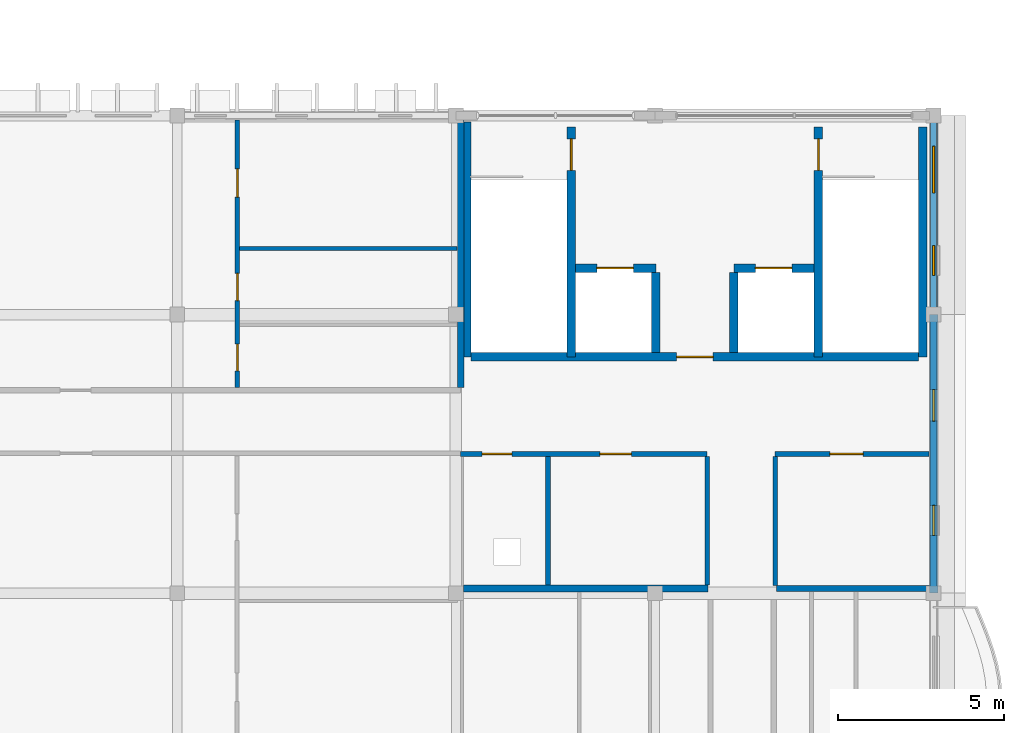
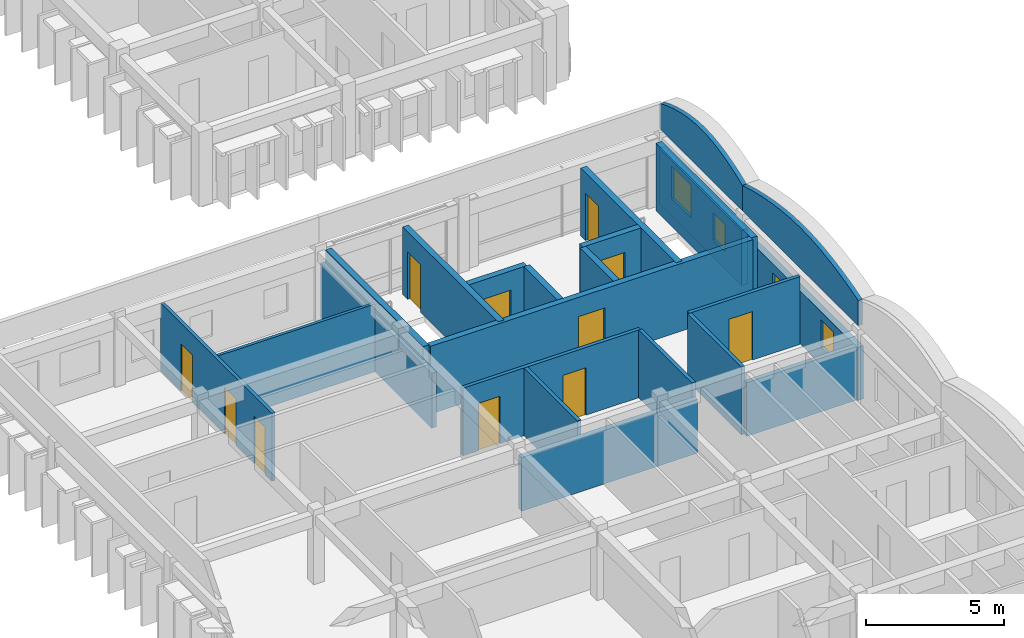
# One storey, part 29 of 59: 23 walls, 11 doors, 4 windows, 15 openings.
"""IFC4 building model written with IfcOpenShell, lengths in metres."""

from ifc_helpers import new_model, si_unit, direction, frame, frame_2d, origin, place, context, subcontext, project, spatial, polyline, rectangle, outline, extrude, material, layer, layer_set, type_object, element, fill, save


model = new_model("IFC4")

# Units and contexts
model_context = context("Model", 3, precision=1e-05, world=origin(), true_north=direction((0.0, 1.0)))
body_context = subcontext(model_context, "Body", "Model", "MODEL_VIEW")
ifc_project = project(units=[si_unit("LENGTHUNIT", "METRE"), si_unit("AREAUNIT", "SQUARE_METRE"), si_unit("VOLUMEUNIT", "CUBIC_METRE"), si_unit("PLANEANGLEUNIT", "RADIAN"), si_unit("MASSUNIT", "GRAM", prefix="KILO"), si_unit("THERMODYNAMICTEMPERATUREUNIT", "KELVIN")], contexts=[model_context])

# Site, building, storey
site_placement = place(None, origin())
site = spatial("IfcSite", under=ifc_project, at=site_placement, CompositionType="ELEMENT")
building_placement = place(site_placement, origin())
building = spatial("IfcBuilding", under=site, at=building_placement, Name="Thalorik Housing Commons", CompositionType="ELEMENT")
storey_placement = place(building_placement, frame((0.0, 0.0, 27.89990234375)))
storey = spatial("IfcBuildingStorey", under=building, at=storey_placement, Name="L08", CompositionType="ELEMENT", Elevation=27.89990234375)

# Wall, opening, door
ifc_material_1 = material(Name="Concrete C40/50", Category="concrete")
ifc_layer_1 = layer(ifc_material_1, 0.25, Name="Concrete C40/50", Category="concrete")
ifc_layer_set_1 = layer_set([ifc_layer_1], Name="Concrete C40/50")
wall_type_1 = type_object("IfcWallType", Name="ARC-WAL-CORE-250", PredefinedType="SHEAR", material=ifc_layer_set_1)
wall_1_placement = place(storey_placement, frame((155.875, 71.64990234375, 0.0), z_axis=(0.0, 0.0, 1.0), x_axis=(0.0, -1.0, 0.0)))
wall_1 = element("IfcWall", 1, at=wall_1_placement, inside=storey, type_object=wall_type_1, Name="L08 Core D Stair 1 Shear Wall", PredefinedType="SHEAR", context=body_context, shape_type="SweptSolid", body=[
    extrude(rectangle(XDim=6.9248046875, YDim=0.25, at=frame_2d((3.46240234375, 0.0))), origin(), (0.0, 0.0, 1.0), 3.0),
])
opening_1_placement = place(wall_1_placement, frame((0.35009765625, 0.0, 0.0)))
opening_1 = element("IfcOpeningElement", 2, at=opening_1_placement, cuts=wall_1, Name="Opening ID-0417", PredefinedType="OPENING", context=body_context, shape_type="SweptSolid", body=[
    extrude(rectangle(XDim=0.949951171875, YDim=2.10009765625, at=frame_2d((0.47509765625, 1.050048828125))), frame((0.0, 0.135009765625, 0.0), z_axis=(0.0, -1.0, 0.0), x_axis=(1.0, 0.0, 0.0)), (0.0, 0.0, 1.0), 0.27001953125),
])
ifc_material_2 = material(Name="Steel S355", Category="steel")
door_type_1 = type_object("IfcDoorType", Name="ARC-DR-FD60-950", OperationType="NOTDEFINED", PredefinedType="DOOR", material=ifc_material_2)
door_1_placement = place(opening_1_placement, origin())
door_1 = element("IfcDoor", 3, at=door_1_placement, inside=storey, type_object=door_type_1, Name="L08 Stair ST-D1 Fire Door", OperationType="SINGLE_SWING_RIGHT", OverallHeight=2.10009765625, OverallWidth=0.949951171875, PredefinedType="DOOR", context=body_context, shape_type="SweptSolid", body=[
    extrude(rectangle(XDim=0.949951171875, YDim=2.10009765625, at=frame_2d((0.47509765625, 1.050048828125))), frame((0.0, 0.02490234375, 0.0), z_axis=(0.0, -1.0, 0.0), x_axis=(1.0, 0.0, 0.0)), (0.0, 0.0, 1.0), 0.050048828125),
])
fill(opening_1, door_1)

# Walls
wall_2_placement = place(storey_placement, frame((152.72509765625, 71.800048828125, 0.0), z_axis=(0.0, 0.0, 1.0), x_axis=(0.0, -1.0, 0.0)))
element("IfcWall", 4, at=wall_2_placement, inside=storey, type_object=wall_type_1, Name="L08 Core D Stair 1 Outer Shear Wall", PredefinedType="SHEAR", context=body_context, shape_type="SweptSolid", body=[
    extrude(rectangle(XDim=7.074951171875, YDim=0.25, at=frame_2d((3.53759765625, 0.0))), origin(), (0.0, 0.0, 1.0), 3.0),
])
wall_3_placement = place(storey_placement, frame((166.47509765625, 71.64990234375, 0.0), z_axis=(0.0, 0.0, 1.0), x_axis=(0.0, -1.0, 0.0)))
element("IfcWall", 5, at=wall_3_placement, inside=storey, type_object=wall_type_1, Name="L08 Core D Stair 2 Outer Shear Wall", PredefinedType="SHEAR", context=body_context, shape_type="SweptSolid", body=[
    extrude(rectangle(XDim=6.9248046875, YDim=0.25, at=frame_2d((3.46240234375, 0.0))), origin(), (0.0, 0.0, 1.0), 3.0),
])

# Wall, opening, door
wall_4_placement = place(storey_placement, frame((163.324951171875, 71.64990234375, 0.0), z_axis=(0.0, 0.0, 1.0), x_axis=(0.0, -1.0, 0.0)))
wall_4 = element("IfcWall", 6, at=wall_4_placement, inside=storey, type_object=wall_type_1, Name="L08 Core D Stair 2 Shear Wall", PredefinedType="SHEAR", context=body_context, shape_type="SweptSolid", body=[
    extrude(rectangle(XDim=6.9248046875, YDim=0.25, at=frame_2d((3.46240234375, 0.0))), origin(), (0.0, 0.0, 1.0), 3.0),
])
opening_2_placement = place(wall_4_placement, frame((0.35009765625, 0.0, 0.0)))
opening_2 = element("IfcOpeningElement", 7, at=opening_2_placement, cuts=wall_4, Name="Opening ID-0418", PredefinedType="OPENING", context=body_context, shape_type="SweptSolid", body=[
    extrude(rectangle(XDim=0.949951171875, YDim=2.10009765625, at=frame_2d((0.47509765625, 1.050048828125))), frame((0.0, 0.135009765625, 0.0), z_axis=(0.0, -1.0, 0.0), x_axis=(1.0, 0.0, 0.0)), (0.0, 0.0, 1.0), 0.27001953125),
])
door_2_placement = place(opening_2_placement, origin())
door_2 = element("IfcDoor", 8, at=door_2_placement, inside=storey, type_object=door_type_1, Name="L08 Stair ST-D2 Fire Door", OperationType="SINGLE_SWING_LEFT", OverallHeight=2.10009765625, OverallWidth=0.949951171875, PredefinedType="DOOR", context=body_context, shape_type="SweptSolid", body=[
    extrude(rectangle(XDim=0.949951171875, YDim=2.10009765625, at=frame_2d((0.47509765625, 1.050048828125))), frame((0.0, 0.02490234375, 0.0), z_axis=(0.0, -1.0, 0.0), x_axis=(1.0, 0.0, 0.0)), (0.0, 0.0, 1.0), 0.050048828125),
])
fill(opening_2, door_2)

wall_5_placement = place(storey_placement, frame((156.0, 67.39990234375, 0.0), z_axis=(0.0, 0.0, 1.0), x_axis=(1.0, 0.0, 0.0)))
wall_5 = element("IfcWall", 9, at=wall_5_placement, inside=storey, type_object=wall_type_1, Name="L08 Lift LP-D1 Front Shaft Wall", PredefinedType="SHEAR", context=body_context, shape_type="SweptSolid", body=[
    extrude(rectangle(XDim=2.425048828125, YDim=0.25, at=frame_2d((1.21240234375, 0.0))), origin(), (0.0, 0.0, 1.0), 3.0),
])
opening_3_placement = place(wall_5_placement, frame((0.64990234375, 0.0, 0.0)))
opening_3 = element("IfcOpeningElement", 10, at=opening_3_placement, cuts=wall_5, Name="Opening LD-LP-D1-L08", PredefinedType="OPENING", context=body_context, shape_type="SweptSolid", body=[
    extrude(rectangle(XDim=1.10009765625, YDim=2.14990234375, at=frame_2d((0.550048828125, 1.074951171875))), frame((0.0, 0.135009765625, 0.0), z_axis=(0.0, -1.0, 0.0), x_axis=(1.0, 0.0, 0.0)), (0.0, 0.0, 1.0), 0.27001953125),
])
door_type_2 = type_object("IfcDoorType", Name="ARC-DR-LIFT-1100", OperationType="NOTDEFINED", PredefinedType="DOOR", material=ifc_material_2)
door_3_placement = place(opening_3_placement, origin())
door_3 = element("IfcDoor", 11, at=door_3_placement, inside=storey, type_object=door_type_2, Name="L08 Lift LP-D1 Landing Door", OperationType="SLIDING_TO_LEFT", OverallHeight=2.14990234375, OverallWidth=1.10009765625, PredefinedType="DOOR", context=body_context, shape_type="SweptSolid", body=[
    extrude(rectangle(XDim=1.10009765625, YDim=2.14990234375, at=frame_2d((0.550048828125, 1.074951171875))), frame((0.0, 0.02490234375, 0.0), z_axis=(0.0, -1.0, 0.0), x_axis=(1.0, 0.0, 0.0)), (0.0, 0.0, 1.0), 0.050048828125),
])
fill(opening_3, door_3)

wall_6_placement = place(storey_placement, frame((160.77490234375, 67.39990234375, 0.0), z_axis=(0.0, 0.0, 1.0), x_axis=(1.0, 0.0, 0.0)))
wall_6 = element("IfcWall", 12, at=wall_6_placement, inside=storey, type_object=wall_type_1, Name="L08 Lift LP-D2 Front Shaft Wall", PredefinedType="SHEAR", context=body_context, shape_type="SweptSolid", body=[
    extrude(rectangle(XDim=2.425048828125, YDim=0.25, at=frame_2d((1.21240234375, 0.0))), origin(), (0.0, 0.0, 1.0), 3.0),
])
opening_4_placement = place(wall_6_placement, frame((0.64990234375, 0.0, 0.0)))
opening_4 = element("IfcOpeningElement", 13, at=opening_4_placement, cuts=wall_6, Name="Opening LD-LP-D2-L08", PredefinedType="OPENING", context=body_context, shape_type="SweptSolid", body=[
    extrude(rectangle(XDim=1.10009765625, YDim=2.14990234375, at=frame_2d((0.550048828125, 1.074951171875))), frame((0.0, 0.135009765625, 0.0), z_axis=(0.0, -1.0, 0.0), x_axis=(1.0, 0.0, 0.0)), (0.0, 0.0, 1.0), 0.27001953125),
])
door_4_placement = place(opening_4_placement, origin())
door_4 = element("IfcDoor", 14, at=door_4_placement, inside=storey, type_object=door_type_2, Name="L08 Lift LP-D2 Landing Door", OperationType="SLIDING_TO_LEFT", OverallHeight=2.14990234375, OverallWidth=1.10009765625, PredefinedType="DOOR", context=body_context, shape_type="SweptSolid", body=[
    extrude(rectangle(XDim=1.10009765625, YDim=2.14990234375, at=frame_2d((0.550048828125, 1.074951171875))), frame((0.0, 0.02490234375, 0.0), z_axis=(0.0, -1.0, 0.0), x_axis=(1.0, 0.0, 0.0)), (0.0, 0.0, 1.0), 0.050048828125),
])
fill(opening_4, door_4)

# Walls
for number, where, z_axis, x_axis, name in (
    (15, (158.425048828125, 67.27490234375, 0.0), (0.0, 0.0, 1.0), (0.0, -1.0, 0.0), "L08 Lift 1 Cheek Wall"),
    (16, (160.77490234375, 67.27490234375, 0.0), (0.0, 0.0, 1.0), (0.0, -1.0, 0.0), "L08 Lift 2 Cheek Wall"),
):
    element("IfcWall", number, at=place(storey_placement, frame(where, z_axis=z_axis, x_axis=x_axis)), inside=storey, type_object=wall_type_1, Name=name, PredefinedType="SHEAR", context=body_context, shape_type="SweptSolid", body=[
        extrude(rectangle(XDim=2.4248046875, YDim=0.25, at=frame_2d((1.21240234375, 0.0))), origin(), (0.0, 0.0, 1.0), 3.0),
    ])

# Wall, opening, door
wall_7_placement = place(storey_placement, frame((152.85009765625, 64.72509765625, 0.0), z_axis=(0.0, 0.0, 1.0), x_axis=(1.0, 0.0, 0.0)))
wall_7 = element("IfcWall", 17, at=wall_7_placement, inside=storey, type_object=wall_type_1, Name="L08 Core D Spine Shear Wall", PredefinedType="SHEAR", context=body_context, shape_type="SweptSolid", body=[
    extrude(rectangle(XDim=13.5, YDim=0.25, at=frame_2d((6.75, 0.0))), origin(), (0.0, 0.0, 1.0), 3.0),
])
opening_5_placement = place(wall_7_placement, frame((6.199951171875, 0.0, 0.0)))
opening_5 = element("IfcOpeningElement", 18, at=opening_5_placement, cuts=wall_7, Name="Opening ID-0421", PredefinedType="OPENING", context=body_context, shape_type="SweptSolid", body=[
    extrude(rectangle(XDim=1.10009765625, YDim=2.14990234375, at=frame_2d((0.550048828125, 1.074951171875))), frame((0.0, 0.135009765625, 0.0), z_axis=(0.0, -1.0, 0.0), x_axis=(1.0, 0.0, 0.0)), (0.0, 0.0, 1.0), 0.27001953125),
])
door_type_3 = type_object("IfcDoorType", Name="ARC-DR-FD60-1100", OperationType="NOTDEFINED", PredefinedType="DOOR", material=ifc_material_2)
door_5_placement = place(opening_5_placement, origin())
door_5 = element("IfcDoor", 19, at=door_5_placement, inside=storey, type_object=door_type_3, Name="L08 Core D Lobby Fire Door", OperationType="SINGLE_SWING_RIGHT", OverallHeight=2.14990234375, OverallWidth=1.10009765625, PredefinedType="DOOR", context=body_context, shape_type="SweptSolid", body=[
    extrude(rectangle(XDim=1.10009765625, YDim=2.14990234375, at=frame_2d((0.550048828125, 1.074951171875))), frame((0.0, 0.02490234375, 0.0), z_axis=(0.0, -1.0, 0.0), x_axis=(1.0, 0.0, 0.0)), (0.0, 0.0, 1.0), 0.050048828125),
])
fill(opening_5, door_5)

# Wall, openings, windows
ifc_material_3 = material(Name="White precast concrete C40/50", Category="concrete")
ifc_layer_2 = layer(ifc_material_3, 0.2548828125, Name="White precast concrete C40/50", Category="concrete")
ifc_layer_set_2 = layer_set([ifc_layer_2], Name="White precast concrete C40/50")
wall_type_2 = type_object("IfcWallType", Name="ARC-WAL-EXT-255", PredefinedType="STANDARD", material=ifc_layer_set_2)
wall_8_placement = place(storey_placement, frame((166.800048828125, 57.60009765625, 0.0), z_axis=(0.0, 0.0, 1.0), x_axis=(0.0, 1.0, 0.0)))
wall_8 = element("IfcWall", 20, at=wall_8_placement, inside=storey, type_object=wall_type_2, Name="L08 Exterior Wall WAL-EXT-L08-D-1275", PredefinedType="STANDARD", context=body_context, shape_type="SweptSolid", body=[
    extrude(rectangle(XDim=8.39990234375, YDim=0.2548828125, at=frame_2d((4.199951171875, 0.0))), origin(), (0.0, 0.0, 1.0), 2.34521484375),
])
opening_6_placement = place(wall_8_placement, frame((1.7451171875, 0.0, 0.780029296875)))
opening_6 = element("IfcOpeningElement", 21, at=opening_6_placement, cuts=wall_8, Name="Opening W-01", PredefinedType="OPENING", context=body_context, shape_type="SweptSolid", body=[
    extrude(rectangle(XDim=0.89990234375, YDim=1.199951171875, at=frame_2d((0.449951171875, 0.60009765625))), frame((0.0, 0.137451171875, 0.0), z_axis=(0.0, -1.0, 0.0), x_axis=(1.0, 0.0, 0.0)), (0.0, 0.0, 1.0), 0.27490234375),
])
opening_7_placement = place(wall_8_placement, frame((5.1875, 0.0, 0.780029296875)))
opening_7 = element("IfcOpeningElement", 22, at=opening_7_placement, cuts=wall_8, Name="Opening W-43", PredefinedType="OPENING", context=body_context, shape_type="SweptSolid", body=[
    extrude(rectangle(XDim=0.949951171875, YDim=1.14990234375, at=frame_2d((0.47509765625, 0.574951171875))), frame((0.0, 0.137451171875, 0.0), z_axis=(0.0, -1.0, 0.0), x_axis=(1.0, 0.0, 0.0)), (0.0, 0.0, 1.0), 0.27490234375),
])
ifc_material_4 = material(Name="Anodised aluminium and solar-control low-E glass", Category="aluminium")
window_type_1 = type_object("IfcWindowType", Name="ARC-WIN-01", PartitioningType="SINGLE_PANEL", PredefinedType="WINDOW", material=ifc_material_4)
window_1_placement = place(opening_6_placement, origin())
window_1 = element("IfcWindow", 23, at=window_1_placement, inside=storey, type_object=window_type_1, Name="L08 Facade Window 2324", OverallHeight=1.199951171875, OverallWidth=0.89990234375, PartitioningType="SINGLE_PANEL", PredefinedType="WINDOW", context=body_context, shape_type="SweptSolid", body=[
    extrude(rectangle(XDim=0.89990234375, YDim=1.199951171875, at=frame_2d((0.449951171875, 0.60009765625))), frame((0.0, 0.030029296875, 0.0), z_axis=(0.0, -1.0, 0.0), x_axis=(1.0, 0.0, 0.0)), (0.0, 0.0, 1.0), 0.06005859375),
])
fill(opening_6, window_1)
window_type_2 = type_object("IfcWindowType", Name="ARC-WIN-43", PartitioningType="SINGLE_PANEL", PredefinedType="WINDOW", material=ifc_material_4)
window_2_placement = place(opening_7_placement, origin())
window_2 = element("IfcWindow", 24, at=window_2_placement, inside=storey, type_object=window_type_2, Name="L08 Facade Window 2325", OverallHeight=1.14990234375, OverallWidth=0.949951171875, PartitioningType="SINGLE_PANEL", PredefinedType="WINDOW", context=body_context, shape_type="SweptSolid", body=[
    extrude(rectangle(XDim=0.949951171875, YDim=1.14990234375, at=frame_2d((0.47509765625, 0.574951171875))), frame((0.0, 0.030029296875, 0.0), z_axis=(0.0, -1.0, 0.0), x_axis=(1.0, 0.0, 0.0)), (0.0, 0.0, 1.0), 0.06005859375),
])
fill(opening_7, window_2)

wall_9_placement = place(storey_placement, frame((166.800048828125, 66.0, 0.0), z_axis=(0.0, 0.0, 1.0), x_axis=(0.0, 1.0, 0.0)))
wall_9 = element("IfcWall", 25, at=wall_9_placement, inside=storey, type_object=wall_type_2, Name="L08 Exterior Wall WAL-EXT-L08-D-1276", PredefinedType="STANDARD", context=body_context, shape_type="SweptSolid", body=[
    extrude(rectangle(XDim=6.0, YDim=0.2548828125, at=frame_2d((3.0, 0.0))), origin(), (0.0, 0.0, 1.0), 2.445068359375),
])
opening_8_placement = place(wall_9_placement, frame((1.179931640625, 0.0, 0.780029296875)))
opening_8 = element("IfcOpeningElement", 26, at=opening_8_placement, cuts=wall_9, Name="Opening W-01", PredefinedType="OPENING", context=body_context, shape_type="SweptSolid", body=[
    extrude(rectangle(XDim=0.89990234375, YDim=1.199951171875, at=frame_2d((0.449951171875, 0.60009765625))), frame((0.0, 0.137451171875, 0.0), z_axis=(0.0, -1.0, 0.0), x_axis=(1.0, 0.0, 0.0)), (0.0, 0.0, 1.0), 0.27490234375),
])
opening_9_placement = place(wall_9_placement, frame((3.669921875, 0.0, 0.780029296875)))
opening_9 = element("IfcOpeningElement", 27, at=opening_9_placement, cuts=wall_9, Name="Opening W-08", PredefinedType="OPENING", context=body_context, shape_type="SweptSolid", body=[
    extrude(rectangle(XDim=1.39990234375, YDim=1.449951171875, at=frame_2d((0.699951171875, 0.72509765625))), frame((0.0, 0.137451171875, 0.0), z_axis=(0.0, -1.0, 0.0), x_axis=(1.0, 0.0, 0.0)), (0.0, 0.0, 1.0), 0.27490234375),
])
window_3_placement = place(opening_8_placement, origin())
window_3 = element("IfcWindow", 28, at=window_3_placement, inside=storey, type_object=window_type_1, Name="L08 Facade Window 2326", OverallHeight=1.199951171875, OverallWidth=0.89990234375, PartitioningType="SINGLE_PANEL", PredefinedType="WINDOW", context=body_context, shape_type="SweptSolid", body=[
    extrude(rectangle(XDim=0.89990234375, YDim=1.199951171875, at=frame_2d((0.449951171875, 0.60009765625))), frame((0.0, 0.030029296875, 0.0), z_axis=(0.0, -1.0, 0.0), x_axis=(1.0, 0.0, 0.0)), (0.0, 0.0, 1.0), 0.06005859375),
])
fill(opening_8, window_3)
window_type_3 = type_object("IfcWindowType", Name="ARC-WIN-08", PartitioningType="SINGLE_PANEL", PredefinedType="WINDOW", material=ifc_material_4)
window_4_placement = place(opening_9_placement, origin())
window_4 = element("IfcWindow", 29, at=window_4_placement, inside=storey, type_object=window_type_3, Name="L08 Facade Window 2327", OverallHeight=1.449951171875, OverallWidth=1.39990234375, PartitioningType="SINGLE_PANEL", PredefinedType="WINDOW", context=body_context, shape_type="SweptSolid", body=[
    extrude(rectangle(XDim=1.39990234375, YDim=1.449951171875, at=frame_2d((0.699951171875, 0.72509765625))), frame((0.0, 0.030029296875, 0.0), z_axis=(0.0, -1.0, 0.0), x_axis=(1.0, 0.0, 0.0)), (0.0, 0.0, 1.0), 0.06005859375),
])
fill(opening_9, window_4)

# Walls
ifc_layer_3 = layer(ifc_material_3, 0.179931640625, Name="White precast concrete C40/50", Category="concrete")
ifc_layer_set_3 = layer_set([ifc_layer_3], Name="White precast concrete C40/50")
wall_type_3 = type_object("IfcWallType", Name="ARC-WAL-PAR-180", PredefinedType="PARAPET", material=ifc_layer_set_3)
wall_10_placement = place(storey_placement, frame((166.800048828125, 57.60009765625, 3.300048828125), z_axis=(0.0, 0.0, 1.0), x_axis=(0.0, 1.0, 0.0)))
element("IfcWall", 30, at=wall_10_placement, inside=storey, type_object=wall_type_3, Name="L08 Block D Scalloped Arched Roof Parapet 55", PredefinedType="PARAPET", context=body_context, shape_type="SweptSolid", body=[
    extrude(outline(polyline([(0.0, 0.0), (8.39990234375, 0.0), (8.39990234375, 1.1201171875), (7.699951171875, 1.321533203125), (7.0, 1.484375), (6.300048828125, 1.617919921875), (5.60009765625, 1.717529296875), (4.89990234375, 1.779052734375), (4.199951171875, 1.800048828125), (3.5, 1.779052734375), (2.800048828125, 1.717529296875), (2.10009765625, 1.617919921875), (1.39990234375, 1.484375), (0.699951171875, 1.321533203125), (0.0, 1.1201171875), (0.0, 0.0)])), frame((0.0, 0.08984375, 0.0), z_axis=(0.0, -1.0, 0.0), x_axis=(1.0, 0.0, 0.0)), (0.0, 0.0, 1.0), 0.179931640625),
])
wall_11_placement = place(storey_placement, frame((166.800048828125, 66.0, 3.300048828125), z_axis=(0.0, 0.0, 1.0), x_axis=(0.0, 1.0, 0.0)))
element("IfcWall", 31, at=wall_11_placement, inside=storey, type_object=wall_type_3, Name="L08 Block D Scalloped Arched Roof Parapet 56", PredefinedType="PARAPET", context=body_context, shape_type="SweptSolid", body=[
    extrude(outline(polyline([(0.0, 0.0), (6.0, 0.0), (6.0, 1.1201171875), (5.5, 1.321533203125), (5.0, 1.484375), (4.5, 1.617919921875), (4.0, 1.717529296875), (3.5, 1.779052734375), (3.0, 1.800048828125), (2.5, 1.779052734375), (2.0, 1.717529296875), (1.5, 1.617919921875), (1.0, 1.484375), (0.5, 1.321533203125), (0.0, 1.1201171875), (0.0, 0.0)])), frame((0.0, 0.08984375, 0.0), z_axis=(0.0, -1.0, 0.0), x_axis=(1.0, 0.0, 0.0)), (0.0, 0.0, 1.0), 0.179931640625),
])
ifc_material_5 = material(Name="Gypsum acoustic stud partition", Category="masonry")
ifc_layer_4 = layer(ifc_material_5, 0.125, Name="Gypsum acoustic stud partition", Category="masonry")
ifc_layer_set_4 = layer_set([ifc_layer_4], Name="Gypsum acoustic stud partition")
wall_type_4 = type_object("IfcWallType", Name="ARC-WAL-PART-125", PredefinedType="PARTITIONING", material=ifc_layer_set_4)
wall_12_placement = place(storey_placement, frame((145.88232421875, 67.994384765625, 0.0), z_axis=(0.0, 0.0, 1.0), x_axis=(1.0, 0.0, 0.0)))
element("IfcWall", 32, at=wall_12_placement, inside=storey, type_object=wall_type_4, Name="L08 Unit 1B Bedroom Partition", PredefinedType="PARTITIONING", context=body_context, shape_type="SweptSolid", body=[
    extrude(rectangle(XDim=6.5556640625, YDim=0.125, at=frame_2d((3.27783203125, 0.0))), origin(), (0.0, 0.0, 1.0), 3.0),
])

# Wall, openings, doors
ifc_material_6 = material(Name="Ceramic masonry partition wall", Category="masonry")
ifc_layer_5 = layer(ifc_material_6, 0.139892578125, Name="Ceramic masonry partition wall", Category="masonry")
ifc_layer_set_5 = layer_set([ifc_layer_5], Name="Ceramic masonry partition wall")
wall_type_5 = type_object("IfcWallType", Name="ARC-WAL-PART-140", PredefinedType="PARTITIONING", material=ifc_layer_set_5)
wall_13_placement = place(storey_placement, frame((145.810302734375, 63.804443359375, 0.0), z_axis=(0.0, 0.0, 1.0), x_axis=(0.0, 1.0, 0.0)))
wall_13 = element("IfcWall", 33, at=wall_13_placement, inside=storey, type_object=wall_type_5, Name="L08 Unit 1B Spine Partition", PredefinedType="PARTITIONING", context=body_context, shape_type="SweptSolid", body=[
    extrude(rectangle(XDim=8.066162109375, YDim=0.139892578125, at=frame_2d((4.033203125, 0.0))), origin(), (0.0, 0.0, 1.0), 3.0),
])
opening_10_placement = place(wall_13_placement, frame((0.501953125, 0.0, 0.0)))
opening_10 = element("IfcOpeningElement", 34, at=opening_10_placement, cuts=wall_13, Name="Opening ID-2167", PredefinedType="OPENING", context=body_context, shape_type="SweptSolid", body=[
    extrude(rectangle(XDim=0.800048828125, YDim=2.10009765625, at=frame_2d((0.39990234375, 1.050048828125))), frame((0.0, 0.080078125, 0.0), z_axis=(0.0, -1.0, 0.0), x_axis=(1.0, 0.0, 0.0)), (0.0, 0.0, 1.0), 0.159912109375),
])
opening_11_placement = place(wall_13_placement, frame((2.614013671875, 0.0, 0.0)))
opening_11 = element("IfcOpeningElement", 35, at=opening_11_placement, cuts=wall_13, Name="Opening ID-2168", PredefinedType="OPENING", context=body_context, shape_type="SweptSolid", body=[
    extrude(rectangle(XDim=0.820068359375, YDim=2.080078125, at=frame_2d((0.41015625, 1.0400390625))), frame((0.0, 0.080078125, 0.0), z_axis=(0.0, -1.0, 0.0), x_axis=(1.0, 0.0, 0.0)), (0.0, 0.0, 1.0), 0.159912109375),
])
opening_12_placement = place(wall_13_placement, frame((5.73779296875, 0.0, 0.0)))
opening_12 = element("IfcOpeningElement", 36, at=opening_12_placement, cuts=wall_13, Name="Opening ID-2169", PredefinedType="OPENING", context=body_context, shape_type="SweptSolid", body=[
    extrude(rectangle(XDim=0.85009765625, YDim=2.10009765625, at=frame_2d((0.425048828125, 1.050048828125))), frame((0.0, 0.080078125, 0.0), z_axis=(0.0, -1.0, 0.0), x_axis=(1.0, 0.0, 0.0)), (0.0, 0.0, 1.0), 0.159912109375),
])
ifc_material_7 = material(Name="Moisture-resistant timber", Category="wood")
door_type_4 = type_object("IfcDoorType", Name="ARC-DR-INT-800", OperationType="NOTDEFINED", PredefinedType="DOOR", material=ifc_material_7)
door_6_placement = place(opening_10_placement, origin())
door_6 = element("IfcDoor", 37, at=door_6_placement, inside=storey, type_object=door_type_4, Name="L08 Flat Bathroom Door", OperationType="SINGLE_SWING_RIGHT", OverallHeight=2.10009765625, OverallWidth=0.800048828125, PredefinedType="DOOR", context=body_context, shape_type="SweptSolid", body=[
    extrude(rectangle(XDim=0.800048828125, YDim=2.10009765625, at=frame_2d((0.39990234375, 1.050048828125))), frame((0.0, 0.02490234375, 0.0), z_axis=(0.0, -1.0, 0.0), x_axis=(1.0, 0.0, 0.0)), (0.0, 0.0, 1.0), 0.050048828125),
])
fill(opening_10, door_6)
ifc_material_8 = material(Name="Engineered oak timber", Category="wood")
door_type_5 = type_object("IfcDoorType", Name="ARC-DR-INT-820", OperationType="NOTDEFINED", PredefinedType="DOOR", material=ifc_material_8)
door_7_placement = place(opening_11_placement, origin())
door_7 = element("IfcDoor", 38, at=door_7_placement, inside=storey, type_object=door_type_5, Name="L08 Galley Kitchen Door", OperationType="SINGLE_SWING_LEFT", OverallHeight=2.080078125, OverallWidth=0.820068359375, PredefinedType="DOOR", context=body_context, shape_type="SweptSolid", body=[
    extrude(rectangle(XDim=0.820068359375, YDim=2.080078125, at=frame_2d((0.41015625, 1.0400390625))), frame((0.0, 0.02490234375, 0.0), z_axis=(0.0, -1.0, 0.0), x_axis=(1.0, 0.0, 0.0)), (0.0, 0.0, 1.0), 0.050048828125),
])
fill(opening_11, door_7)
door_type_6 = type_object("IfcDoorType", Name="ARC-DR-INT-850", OperationType="NOTDEFINED", PredefinedType="DOOR", material=ifc_material_8)
door_8_placement = place(opening_12_placement, origin())
door_8 = element("IfcDoor", 39, at=door_8_placement, inside=storey, type_object=door_type_6, Name="L08 Double Bedroom Door", OperationType="SINGLE_SWING_RIGHT", OverallHeight=2.10009765625, OverallWidth=0.85009765625, PredefinedType="DOOR", context=body_context, shape_type="SweptSolid", body=[
    extrude(rectangle(XDim=0.85009765625, YDim=2.10009765625, at=frame_2d((0.425048828125, 1.050048828125))), frame((0.0, 0.02490234375, 0.0), z_axis=(0.0, -1.0, 0.0), x_axis=(1.0, 0.0, 0.0)), (0.0, 0.0, 1.0), 0.050048828125),
])
fill(opening_12, door_8)

# Walls
ifc_layer_6 = layer(ifc_material_6, 0.14794921875, Name="Ceramic masonry partition wall", Category="masonry")
ifc_layer_set_6 = layer_set([ifc_layer_6], Name="Ceramic masonry partition wall")
wall_type_6 = type_object("IfcWallType", Name="ARC-WAL-PART-150", PredefinedType="PARTITIONING", material=ifc_layer_set_6)
for number, where, z_axis, x_axis, name in (
    (40, (155.175048828125, 61.72412109375, 0.0), (0.0, 0.0, 1.0), (0.0, -1.0, 0.0), "Riser Wall"),
    (41, (159.97509765625, 61.72412109375, 0.0), (0.0, 0.0, 1.0), (0.0, -1.0, 0.0), "Core Stem West Cheek Wall"),
):
    element("IfcWall", number, at=place(storey_placement, frame(where, z_axis=z_axis, x_axis=x_axis)), inside=storey, type_object=wall_type_6, Name=name, PredefinedType="PARTITIONING", context=body_context, shape_type="SweptSolid", body=[
        extrude(rectangle(XDim=3.8720703125, YDim=0.14794921875, at=frame_2d((1.93603515625, 0.0))), origin(), (0.0, 0.0, 1.0), 3.0),
    ])
wall_14_placement = place(storey_placement, frame((162.02490234375, 61.72412109375, 0.0), z_axis=(0.0, 0.0, 1.0), x_axis=(0.0, -1.0, 0.0)))
element("IfcWall", 42, at=wall_14_placement, inside=storey, type_object=wall_type_6, Name="Core Stem East Cheek Wall", PredefinedType="PARTITIONING", context=body_context, shape_type="SweptSolid", body=[
    extrude(rectangle(XDim=3.8896484375, YDim=0.14794921875, at=frame_2d((1.94482421875, 0.0))), origin(), (0.0, 0.0, 1.0), 3.0),
])

# Wall, openings, doors
wall_15_placement = place(storey_placement, frame((152.5400390625, 61.800048828125, 0.0), z_axis=(0.0, 0.0, 1.0), x_axis=(1.0, 0.0, 0.0)))
wall_15 = element("IfcWall", 43, at=wall_15_placement, inside=storey, type_object=wall_type_6, Name="L08 Core D West Corridor Partition", PredefinedType="PARTITIONING", context=body_context, shape_type="SweptSolid", body=[
    extrude(rectangle(XDim=7.43505859375, YDim=0.14794921875, at=frame_2d((3.717529296875, 0.0))), origin(), (0.0, 0.0, 1.0), 3.0),
])
opening_13_placement = place(wall_15_placement, frame((0.64990234375, 0.0, 0.0)))
opening_13 = element("IfcOpeningElement", 44, at=opening_13_placement, cuts=wall_15, Name="Opening ID-0422", PredefinedType="OPENING", context=body_context, shape_type="SweptSolid", body=[
    extrude(rectangle(XDim=0.89990234375, YDim=2.10009765625, at=frame_2d((0.449951171875, 1.050048828125))), frame((0.0, 0.083984375, 0.0), z_axis=(0.0, -1.0, 0.0), x_axis=(1.0, 0.0, 0.0)), (0.0, 0.0, 1.0), 0.16796875),
])
opening_14_placement = place(wall_15_placement, frame((4.199951171875, 0.0, 0.0)))
opening_14 = element("IfcOpeningElement", 45, at=opening_14_placement, cuts=wall_15, Name="Opening ID-0423", PredefinedType="OPENING", context=body_context, shape_type="SweptSolid", body=[
    extrude(rectangle(XDim=0.949951171875, YDim=2.10009765625, at=frame_2d((0.47509765625, 1.050048828125))), frame((0.0, 0.083984375, 0.0), z_axis=(0.0, -1.0, 0.0), x_axis=(1.0, 0.0, 0.0)), (0.0, 0.0, 1.0), 0.16796875),
])
door_type_7 = type_object("IfcDoorType", Name="ARC-DR-FD60-900", OperationType="NOTDEFINED", PredefinedType="DOOR", material=ifc_material_2)
door_9_placement = place(opening_13_placement, origin())
door_9 = element("IfcDoor", 46, at=door_9_placement, inside=storey, type_object=door_type_7, Name="Electrical Riser Door", OperationType="SINGLE_SWING_LEFT", OverallHeight=2.10009765625, OverallWidth=0.89990234375, PredefinedType="DOOR", context=body_context, shape_type="SweptSolid", body=[
    extrude(rectangle(XDim=0.89990234375, YDim=2.10009765625, at=frame_2d((0.449951171875, 1.050048828125))), frame((0.0, 0.02490234375, 0.0), z_axis=(0.0, -1.0, 0.0), x_axis=(1.0, 0.0, 0.0)), (0.0, 0.0, 1.0), 0.050048828125),
])
fill(opening_13, door_9)
door_type_8 = type_object("IfcDoorType", Name="ARC-DR-INT-950", OperationType="NOTDEFINED", PredefinedType="DOOR", material=ifc_material_8)
door_10_placement = place(opening_14_placement, origin())
door_10 = element("IfcDoor", 47, at=door_10_placement, inside=storey, type_object=door_type_8, Name="Accessible Bathroom Door", OperationType="SINGLE_SWING_RIGHT", OverallHeight=2.10009765625, OverallWidth=0.949951171875, PredefinedType="DOOR", context=body_context, shape_type="SweptSolid", body=[
    extrude(rectangle(XDim=0.949951171875, YDim=2.10009765625, at=frame_2d((0.47509765625, 1.050048828125))), frame((0.0, 0.02490234375, 0.0), z_axis=(0.0, -1.0, 0.0), x_axis=(1.0, 0.0, 0.0)), (0.0, 0.0, 1.0), 0.050048828125),
])
fill(opening_14, door_10)

# Wall, opening, door
wall_16_placement = place(storey_placement, frame((162.02490234375, 61.800048828125, 0.0), z_axis=(0.0, 0.0, 1.0), x_axis=(1.0, 0.0, 0.0)))
wall_16 = element("IfcWall", 48, at=wall_16_placement, inside=storey, type_object=wall_type_6, Name="L08 Core D East Corridor Partition", PredefinedType="PARTITIONING", context=body_context, shape_type="SweptSolid", body=[
    extrude(rectangle(XDim=4.635009765625, YDim=0.14794921875, at=frame_2d((2.3173828125, 0.0))), origin(), (0.0, 0.0, 1.0), 3.0),
])
opening_15_placement = place(wall_16_placement, frame((1.64990234375, 0.0, 0.0)))
opening_15 = element("IfcOpeningElement", 49, at=opening_15_placement, cuts=wall_16, Name="Opening ID-0424", PredefinedType="OPENING", context=body_context, shape_type="SweptSolid", body=[
    extrude(rectangle(XDim=1.0, YDim=2.14990234375, at=frame_2d((0.5, 1.074951171875))), frame((0.0, 0.083984375, 0.0), z_axis=(0.0, -1.0, 0.0), x_axis=(1.0, 0.0, 0.0)), (0.0, 0.0, 1.0), 0.16796875),
])
door_type_9 = type_object("IfcDoorType", Name="ARC-DR-FD60-1000", OperationType="NOTDEFINED", PredefinedType="DOOR", material=ifc_material_2)
door_11_placement = place(opening_15_placement, origin())
door_11 = element("IfcDoor", 50, at=door_11_placement, inside=storey, type_object=door_type_9, Name="Core Hub Room Door", OperationType="SINGLE_SWING_LEFT", OverallHeight=2.14990234375, OverallWidth=1.0, PredefinedType="DOOR", context=body_context, shape_type="SweptSolid", body=[
    extrude(rectangle(XDim=1.0, YDim=2.14990234375, at=frame_2d((0.5, 1.074951171875))), frame((0.0, 0.02490234375, 0.0), z_axis=(0.0, -1.0, 0.0), x_axis=(1.0, 0.0, 0.0)), (0.0, 0.0, 1.0), 0.050048828125),
])
fill(opening_15, door_11)

# Walls
ifc_material_9 = material(Name="Masonry acoustic blockwork wall", Category="masonry")
ifc_layer_7 = layer(ifc_material_9, 0.18505859375, Name="Masonry acoustic blockwork wall", Category="masonry")
ifc_layer_set_7 = layer_set([ifc_layer_7], Name="Masonry acoustic blockwork wall")
wall_type_7 = type_object("IfcWallType", Name="ARC-WAL-PARTY-185", PredefinedType="PARTITIONING", material=ifc_layer_set_7)
wall_17_placement = place(storey_placement, frame((162.064453125, 57.739990234375, 0.0), z_axis=(0.0, 0.0, 1.0), x_axis=(1.0, 0.0, 0.0)))
element("IfcWall", 51, at=wall_17_placement, inside=storey, type_object=wall_type_7, Name="L08 Core End Wall B", PredefinedType="PARTITIONING", context=body_context, shape_type="SweptSolid", body=[
    extrude(rectangle(XDim=4.60595703125, YDim=0.18505859375, at=frame_2d((2.302978515625, 0.0))), origin(), (0.0, 0.0, 1.0), 2.375),
])
ifc_material_10 = material(Name="Precast concrete C40/50 acoustic wall", Category="concrete")
ifc_layer_8 = layer(ifc_material_10, 0.199951171875, Name="Precast concrete C40/50 acoustic wall", Category="concrete")
ifc_layer_set_8 = layer_set([ifc_layer_8], Name="Precast concrete C40/50 acoustic wall")
wall_type_8 = type_object("IfcWallType", Name="ARC-WAL-PARTY-200", PredefinedType="PARTITIONING", material=ifc_layer_set_8)
wall_18_placement = place(storey_placement, frame((152.5400390625, 63.804443359375, 0.0), z_axis=(0.0, 0.0, 1.0), x_axis=(0.0, 1.0, 0.0)))
element("IfcWall", 52, at=wall_18_placement, inside=storey, type_object=wall_type_8, Name="L08 Core End Wall B", PredefinedType="PARTITIONING", context=body_context, shape_type="SweptSolid", body=[
    extrude(rectangle(XDim=8.066162109375, YDim=0.199951171875, at=frame_2d((4.033203125, 0.0))), origin(), (0.0, 0.0, 1.0), 2.425048828125),
])
ifc_layer_9 = layer(ifc_material_10, 0.219970703125, Name="Precast concrete C40/50 acoustic wall", Category="concrete")
ifc_layer_set_9 = layer_set([ifc_layer_9], Name="Precast concrete C40/50 acoustic wall")
wall_type_9 = type_object("IfcWallType", Name="ARC-WAL-PARTY-220", PredefinedType="PARTITIONING", material=ifc_layer_set_9)
wall_19_placement = place(storey_placement, frame((152.634521484375, 57.739990234375, 0.0), z_axis=(0.0, 0.0, 1.0), x_axis=(1.0, 0.0, 0.0)))
element("IfcWall", 53, at=wall_19_placement, inside=storey, type_object=wall_type_9, Name="L08 Core End Wall A", PredefinedType="PARTITIONING", context=body_context, shape_type="SweptSolid", body=[
    extrude(rectangle(XDim=7.368408203125, YDim=0.219970703125, at=frame_2d((3.68408203125, 0.0))), origin(), (0.0, 0.0, 1.0), 2.375),
])

save(model, "model.ifc")
